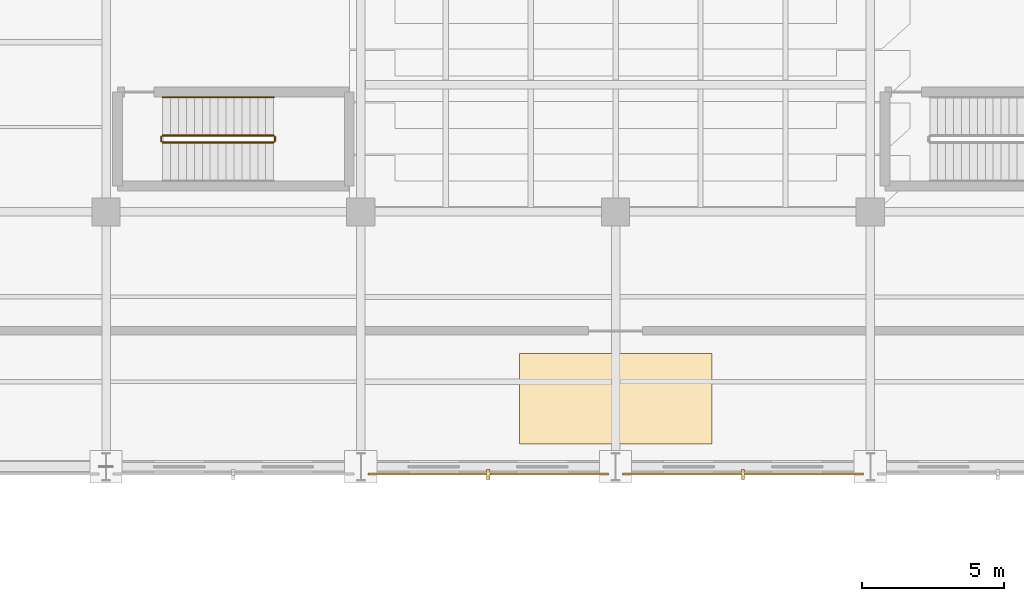
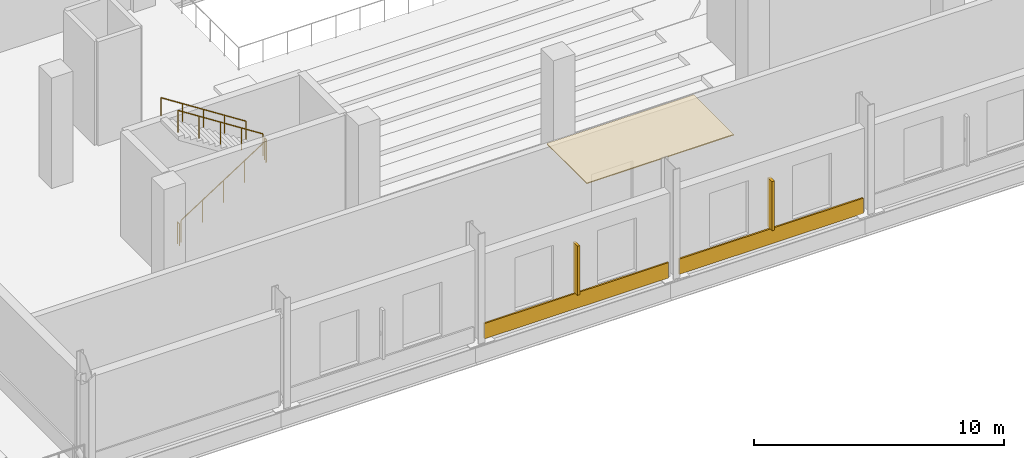
# One storey, part 130 of 141: 5 railings, 3 coverings, 2 shading devices.
"""IFC4 building model written with IfcOpenShell, lengths in metres."""

from ifc_helpers import new_model, si_unit, direction, frame, origin, origin_2d, place, context, subcontext, project, spatial, rectangle, circle, extrude, material, layer, layer_set, type_object, element, save


model = new_model("IFC4")

# Units and contexts
model_context = context("Model", 3, precision=1e-05, world=origin(), true_north=direction((0.0, 1.0)))
body_context = subcontext(model_context, "Body", "Model", "MODEL_VIEW")
ifc_project = project(units=[si_unit("LENGTHUNIT", "METRE"), si_unit("AREAUNIT", "SQUARE_METRE"), si_unit("VOLUMEUNIT", "CUBIC_METRE"), si_unit("PLANEANGLEUNIT", "RADIAN"), si_unit("MASSUNIT", "GRAM", prefix="KILO")], contexts=[model_context])

# Site, building, storey
site_placement = place(None, origin())
site = spatial("IfcSite", under=ifc_project, at=site_placement, CompositionType="ELEMENT")
building_placement = place(site_placement, origin())
building = spatial("IfcBuilding", under=site, at=building_placement, Name="Sundgate Opera House", CompositionType="ELEMENT")
storey_placement = place(building_placement, frame((0.0, 0.0, 11.39990234375)))
storey = spatial("IfcBuildingStorey", under=building, at=storey_placement, Name="L02", CompositionType="ELEMENT", Elevation=11.39990234375)

# Coverings
ifc_material_1 = material(Name="Perforated European oak acoustic ceiling", Category="wood")
ifc_layer_1 = layer(ifc_material_1, 0.044921875)
ifc_layer_set_1 = layer_set([ifc_layer_1], Name="Perforated European oak acoustic ceiling")
covering_type_1 = type_object("IfcCoveringType", Name="CV-CEIL-OAK", PredefinedType="CEILING", material=ifc_layer_set_1)
covering_1_placement = place(storey_placement, frame((54.0, 35.39990234375, 5.0751953125), z_axis=(0.0, 0.0, 1.0), x_axis=(1.0, 0.0, 0.0)))
element("IfcCovering", 1, at=covering_1_placement, inside=storey, type_object=covering_type_1, Name="L02 Acoustic Ceiling CV0130", PredefinedType="CEILING", context=body_context, shape_type="SweptSolid", body=[
    extrude(rectangle(XDim=6.800048828125, YDim=3.199951171875, at=origin_2d()), origin(), (0.0, 0.0, 1.0), 0.044921875),
])
ifc_material_2 = material(Name="Frost-proof vitrified stoneware trencadis relief tile", Category="masonry")
ifc_layer_2 = layer(ifc_material_2, 0.074951171875)
ifc_layer_set_2 = layer_set([ifc_layer_2], Name="Frost-proof vitrified stoneware trencadis relief tile")
covering_type_2 = type_object("IfcCoveringType", Name="CV-TRENC-RELIEF", PredefinedType="CLADDING", material=ifc_layer_set_2)
covering_2_placement = place(storey_placement, frame((58.5, 32.742431640625, 0.045166015625), z_axis=(0.0, 0.0, 1.0), x_axis=(1.0, 0.0, 0.0)))
element("IfcCovering", 2, at=covering_2_placement, inside=storey, type_object=covering_type_2, Name="L02 Trencadis 750mm Relief Band CV0007", PredefinedType="CLADDING", context=body_context, shape_type="SweptSolid", body=[
    extrude(rectangle(XDim=8.510009765625, YDim=0.074951171875, at=origin_2d()), origin(), (0.0, 0.0, 1.0), 0.75),
])
ifc_material_3 = material(Name="Polychrome trencadis mosaic panel", Category="masonry")
ifc_layer_3 = layer(ifc_material_3, 0.054931640625)
ifc_layer_set_3 = layer_set([ifc_layer_3], Name="Polychrome trencadis mosaic panel")
covering_type_3 = type_object("IfcCoveringType", Name="CV-TRENC-SLIM", PredefinedType="CLADDING", material=ifc_layer_set_3)
covering_3_placement = place(storey_placement, frame((49.5, 32.742431640625, 0.045166015625), z_axis=(0.0, 0.0, 1.0), x_axis=(1.0, 0.0, 0.0)))
element("IfcCovering", 3, at=covering_3_placement, inside=storey, type_object=covering_type_3, Name="L02 Trencadis 750mm Relief Band CV0005", PredefinedType="CLADDING", context=body_context, shape_type="SweptSolid", body=[
    extrude(rectangle(XDim=8.510009765625, YDim=0.074951171875, at=origin_2d()), origin(), (0.0, 0.0, 1.0), 0.75),
])

# Railings
ifc_material_4 = material(Name="Painted steel S275 guardrail", Category="steel")
railing_type_1 = type_object("IfcRailingType", Name="RL-STAIR-GUARD-1100", PredefinedType="GUARDRAIL", material=ifc_material_4)
railing_1_placement = place(storey_placement, frame((38.0, 44.449951171875, 0.18017578125)))
element("IfcRailing", 4, at=railing_1_placement, inside=storey, type_object=railing_type_1, Name="ST01L02 Guardrail RL0028", PredefinedType="GUARDRAIL", context=body_context, shape_type="SweptSolid", body=[
    extrude(circle(Radius=0.02392578125, at=origin_2d()), frame((0.0, 0.0, 1.076171875), z_axis=(0.841171666519, 0.0, 0.540768182723), x_axis=(0.0, 1.0, 0.0)), (0.0, 0.0, 1.0), 4.66015625),
    extrude(circle(Radius=0.02099609375, at=origin_2d()), origin(), (0.0, 0.0, 1.0), 1.052001953125),
    extrude(circle(Radius=0.02099609375, at=origin_2d()), frame((0.97998046875, 0.0, 0.6298828125)), (0.0, 0.0, 1.0), 1.052001953125),
    extrude(circle(Radius=0.02099609375, at=origin_2d()), frame((1.9599609375, 0.0, 1.260009765625)), (0.0, 0.0, 1.0), 1.052001953125),
    extrude(circle(Radius=0.02099609375, at=origin_2d()), frame((2.93994140625, 0.0, 1.89013671875)), (0.0, 0.0, 1.0), 1.052001953125),
    extrude(circle(Radius=0.02099609375, at=origin_2d()), frame((3.919921875, 0.0, 2.52001953125)), (0.0, 0.0, 1.0), 1.052001953125),
])
railing_2_placement = place(storey_placement, frame((41.969970703125, 44.5, 2.7001953125)))
element("IfcRailing", 5, at=railing_2_placement, inside=storey, type_object=railing_type_1, Name="ST01L02 Guardrail RL0029", PredefinedType="GUARDRAIL", context=body_context, shape_type="SweptSolid", body=[
    extrude(circle(Radius=0.02392578125, at=origin_2d()), frame((0.0, 0.0, 1.076171875), z_axis=(0.0, 1.0, 0.0), x_axis=(-1.0, 0.0, 0.0)), (0.0, 0.0, 1.0), 0.14990234375),
    extrude(circle(Radius=0.02099609375, at=origin_2d()), origin(), (0.0, 0.0, 1.0), 1.052001953125),
    extrude(circle(Radius=0.02099609375, at=origin_2d()), frame((0.0, 0.14990234375, 0.0)), (0.0, 0.0, 1.0), 1.052001953125),
])
railing_3_placement = place(storey_placement, frame((41.919921875, 44.699951171875, 2.880126953125)))
element("IfcRailing", 6, at=railing_3_placement, inside=storey, type_object=railing_type_1, Name="ST01L02 Guardrail RL0030", PredefinedType="GUARDRAIL", context=body_context, shape_type="SweptSolid", body=[
    extrude(circle(Radius=0.02392578125, at=origin_2d()), frame((0.0, 0.0, 1.076171875), z_axis=(-0.841171666519, 0.0, 0.540768182723), x_axis=(0.0, -1.0, 0.0)), (0.0, 0.0, 1.0), 4.66015625),
    extrude(circle(Radius=0.02099609375, at=origin_2d()), origin(), (0.0, 0.0, 1.0), 1.052001953125),
    extrude(circle(Radius=0.02099609375, at=origin_2d()), frame((-0.97998046875, 0.0, 0.6298828125)), (0.0, 0.0, 1.0), 1.052001953125),
    extrude(circle(Radius=0.02099609375, at=origin_2d()), frame((-1.9599609375, 0.0, 1.260009765625)), (0.0, 0.0, 1.0), 1.052001953125),
    extrude(circle(Radius=0.02099609375, at=origin_2d()), frame((-2.93994140625, 0.0, 1.89013671875)), (0.0, 0.0, 1.0), 1.052001953125),
    extrude(circle(Radius=0.02099609375, at=origin_2d()), frame((-3.919921875, 0.0, 2.52001953125)), (0.0, 0.0, 1.0), 1.052001953125),
])
railing_4_placement = place(storey_placement, frame((37.949951171875, 44.5, 0.0)))
element("IfcRailing", 7, at=railing_4_placement, inside=storey, type_object=railing_type_1, Name="ST01L02 Guardrail RL0031", PredefinedType="GUARDRAIL", context=body_context, shape_type="SweptSolid", body=[
    extrude(circle(Radius=0.02392578125, at=origin_2d()), frame((0.0, 0.0, 1.076171875), z_axis=(0.0, 1.0, 0.0), x_axis=(-1.0, 0.0, 0.0)), (0.0, 0.0, 1.0), 0.14990234375),
    extrude(circle(Radius=0.02099609375, at=origin_2d()), origin(), (0.0, 0.0, 1.0), 1.052001953125),
    extrude(circle(Radius=0.02099609375, at=origin_2d()), frame((0.0, 0.14990234375, 0.0)), (0.0, 0.0, 1.0), 1.052001953125),
])
ifc_material_5 = material(Name="Brushed stainless steel handrail", Category="steel")
railing_type_2 = type_object("IfcRailingType", Name="RL-STAIR-HAND-900", PredefinedType="HANDRAIL", material=ifc_material_5)
railing_5_placement = place(storey_placement, frame((41.919921875, 46.050048828125, 2.880126953125)))
element("IfcRailing", 8, at=railing_5_placement, inside=storey, type_object=railing_type_2, Name="ST01L02 Handrail RL0033", PredefinedType="HANDRAIL", context=body_context, shape_type="SweptSolid", body=[
    extrude(circle(Radius=0.02392578125, at=origin_2d()), frame((0.0, 0.0, 0.8759765625), z_axis=(-0.841171666519, 0.0, 0.540768182723), x_axis=(0.0, -1.0, 0.0)), (0.0, 0.0, 1.0), 4.66015625),
    extrude(circle(Radius=0.02099609375, at=origin_2d()), origin(), (0.0, 0.0, 1.0), 0.851806640625),
    extrude(circle(Radius=0.02099609375, at=origin_2d()), frame((-0.97998046875, 0.0, 0.6298828125)), (0.0, 0.0, 1.0), 0.851806640625),
    extrude(circle(Radius=0.02099609375, at=origin_2d()), frame((-1.9599609375, 0.0, 1.260009765625)), (0.0, 0.0, 1.0), 0.851806640625),
    extrude(circle(Radius=0.02099609375, at=origin_2d()), frame((-2.93994140625, 0.0, 1.89013671875)), (0.0, 0.0, 1.0), 0.851806640625),
    extrude(circle(Radius=0.02099609375, at=origin_2d()), frame((-3.919921875, 0.0, 2.52001953125)), (0.0, 0.0, 1.0), 0.851806640625),
])

# Shading devices
ifc_material_6 = material(Name="Frost-proof vitrified stoneware ceramic fin", Category="masonry")
shading_device_type_1 = type_object("IfcShadingDeviceType", Name="SD-CERAMIC-FIN", PredefinedType="JALOUSIE", material=ifc_material_6)
shading_device_1_placement = place(storey_placement, frame((49.5, 32.719970703125, 0.800048828125), z_axis=(0.0, 0.0, 1.0), x_axis=(1.0, 0.0, 0.0)))
element("IfcShadingDevice", 9, at=shading_device_1_placement, inside=storey, type_object=shading_device_type_1, Name="L02 Ceramic Brise-Soleil Fin SD0002", PredefinedType="JALOUSIE", context=body_context, shape_type="SweptSolid", body=[
    extrude(rectangle(XDim=0.1201171875, YDim=0.35009765625, at=origin_2d()), origin(), (0.0, 0.0, 1.0), 2.39990234375),
])
ifc_material_7 = material(Name="Glazed ceramic acoustic sun louvre", Category="masonry")
shading_device_type_2 = type_object("IfcShadingDeviceType", Name="SD-CERAMIC-LOUVRE", PredefinedType="JALOUSIE", material=ifc_material_7)
shading_device_2_placement = place(storey_placement, frame((58.5, 32.719970703125, 0.800048828125), z_axis=(0.0, 0.0, 1.0), x_axis=(1.0, 0.0, 0.0)))
element("IfcShadingDevice", 10, at=shading_device_2_placement, inside=storey, type_object=shading_device_type_2, Name="L02 Ceramic Brise-Soleil Fin SD0003", PredefinedType="JALOUSIE", context=body_context, shape_type="SweptSolid", body=[
    extrude(rectangle(XDim=0.1201171875, YDim=0.35009765625, at=origin_2d()), origin(), (0.0, 0.0, 1.0), 2.39990234375),
])

save(model, "model.ifc")
